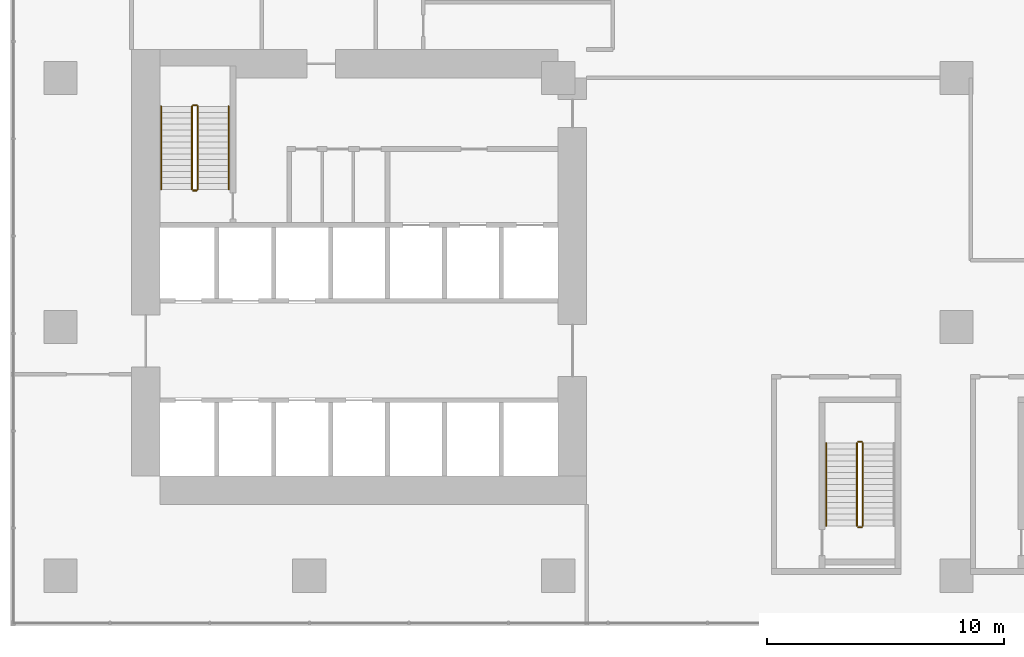
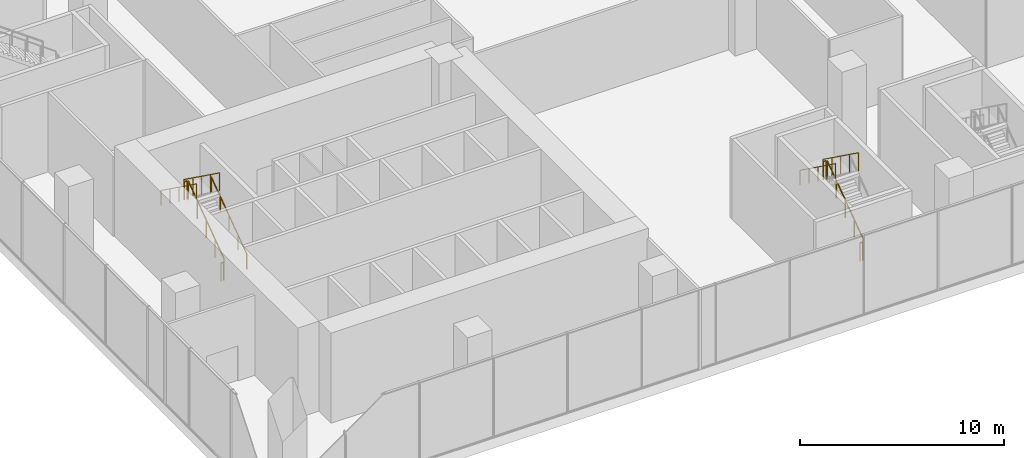
# One storey, part 20 of 24: 11 railings.
"""IFC4 building model written with IfcOpenShell, lengths in metres."""

import ifcopenshell
import ifcopenshell.guid

model = None  # the IFC model being written
_history = None  # IfcOwnerHistory: only IFC2X3 demands one
_inside = {}  # id of a spatial element -> (the spatial element, [elements in it])
_under = {}  # id of a project, library or spatial element -> (it, [spatial elements below it])
_declared = {}  # id of a project -> (the project, [libraries it declares])
_typed = {}  # id of a type object -> (the type object, [elements of that type])
_made_of = {}  # id of a material, layer set ... -> (it, [elements and type objects made of it])


def new_model(schema):
    """Start an empty IFC model of exactly this schema.

    Asked for "IFC4X3", IfcOpenShell would pick the latest addendum, in which some entities
    have other attributes; the version numbers below select the first issue.
    IFC2X3 requires an IfcOwnerHistory on every rooted entity: one is made here for all.
    """
    global model, _history
    if schema == "IFC4X3":
        model = ifcopenshell.file(schema_version=(4, 3, 0, 0))
    else:
        model = ifcopenshell.file(schema=schema)
    _inside.clear()
    _under.clear()
    _declared.clear()
    _typed.clear()
    _made_of.clear()
    _history = None
    if model.schema == "IFC2X3":
        org = make("IfcOrganization", Name="unknown")
        user = make(
            "IfcPersonAndOrganization",
            ThePerson=make("IfcPerson", FamilyName="unknown"),
            TheOrganization=org,
        )
        app = make(
            "IfcApplication",
            ApplicationDeveloper=org,
            Version="unknown",
            ApplicationFullName="unknown",
            ApplicationIdentifier="unknown",
        )
        _history = make(
            "IfcOwnerHistory",
            OwningUser=user,
            OwningApplication=app,
            ChangeAction="ADDED",
            CreationDate=0,
        )
    return model


def make(cls, **values):
    """One entity of the class cls with the attributes given. An attribute that is None is left unset."""
    return model.create_entity(
        cls, **{name: value for name, value in values.items() if value is not None}
    )


def rooted(cls, **values):
    """An entity with a GlobalId (a new one), such as an element, a storey or a relation."""
    return make(cls, GlobalId=ifcopenshell.guid.new(), OwnerHistory=_history, **values)


def si_unit(unit_type, name, prefix=None):
    """IfcSIUnit, for example si_unit("LENGTHUNIT", "METRE", prefix="MILLI")."""
    return make("IfcSIUnit", UnitType=unit_type, Prefix=prefix, Name=name)


def assignment(units):
    """IfcUnitAssignment: the units of a project."""
    return None if units is None else make("IfcUnitAssignment", Units=units)


def point(xyz):
    """IfcCartesianPoint."""
    return None if xyz is None else make("IfcCartesianPoint", Coordinates=xyz)


def direction(xyz):
    """IfcDirection."""
    return None if xyz is None else make("IfcDirection", DirectionRatios=xyz)


def frame(location, z_axis=None, x_axis=None):
    """IfcAxis2Placement3D, a coordinate frame: its origin and axes. An axis left out is left unset."""
    return make(
        "IfcAxis2Placement3D",
        Location=point(location),
        Axis=direction(z_axis),
        RefDirection=direction(x_axis),
    )


def frame_2d(location, x_axis=None):
    """IfcAxis2Placement2D, a coordinate frame in the plane: its origin and x axis."""
    return make(
        "IfcAxis2Placement2D", Location=point(location), RefDirection=direction(x_axis)
    )


def origin():
    """The frame at (0, 0, 0) with its axes left unset."""
    return frame((0.0, 0.0, 0.0))


def origin_2d():
    """The frame at (0, 0) in the plane with its x axis left unset."""
    return frame_2d((0.0, 0.0))


def place(relative_to, where):
    """IfcLocalPlacement: puts the frame where relative to a parent placement (None: the world)."""
    return make(
        "IfcLocalPlacement", PlacementRelTo=relative_to, RelativePlacement=where
    )


def context(
    kind, dimensions, precision=None, world=None, true_north=None, identifier=None
):
    """IfcGeometricRepresentationContext, for example the 3D "Model" context."""
    return make(
        "IfcGeometricRepresentationContext",
        ContextIdentifier=identifier,
        ContextType=kind,
        CoordinateSpaceDimension=dimensions,
        Precision=precision,
        WorldCoordinateSystem=world,
        TrueNorth=true_north,
    )


def subcontext(parent, identifier, kind, view, scale=None):
    """IfcGeometricRepresentationSubContext, for example "Body" below "Model"."""
    return make(
        "IfcGeometricRepresentationSubContext",
        ContextIdentifier=identifier,
        ContextType=kind,
        ParentContext=parent,
        TargetScale=scale,
        TargetView=view,
    )


def project(units=None, contexts=None):
    """IfcProject with its units and contexts."""
    return rooted(
        "IfcProject",
        Name="project",
        RepresentationContexts=contexts,
        UnitsInContext=assignment(units),
    )


def spatial(cls, under=None, at=None, **own):
    """A site, building, storey or space (cls), placed at a placement, below another one or the project."""
    s = rooted(cls, ObjectPlacement=at, **own)
    if under is not None:
        _under.setdefault(under.id(), (under, []))[1].append(s)
    return s


def profile(cls, at=None, kind="AREA", **sizes):
    """A parametric profile (cls). Its sizes go by their IFC names, for example OverallWidth=200.0."""
    return make(cls, ProfileType=kind, Position=at, **sizes)


def circle(**sizes):
    """IfcCircleProfileDef."""
    return profile("IfcCircleProfileDef", **sizes)


def extrude(swept, where, along, depth):
    """IfcExtrudedAreaSolid: the profile swept, set in the frame where, extruded along a direction by depth."""
    return make(
        "IfcExtrudedAreaSolid",
        SweptArea=swept,
        Position=where,
        ExtrudedDirection=direction(along),
        Depth=depth,
    )


def shape(context_of_items, identifier, shape_type, items):
    """IfcShapeRepresentation: the items that make up one representation, for example the "Body"."""
    return make(
        "IfcShapeRepresentation",
        ContextOfItems=context_of_items,
        RepresentationIdentifier=identifier,
        RepresentationType=shape_type,
        Items=items,
    )


def source(mapping_origin, context_of_items, identifier, shape_type, items):
    """IfcRepresentationMap: a shape defined once, which mapped items show again and again."""
    return make(
        "IfcRepresentationMap",
        MappingOrigin=mapping_origin,
        MappedRepresentation=shape(context_of_items, identifier, shape_type, items),
    )


def transform(
    local_origin,
    x_axis=None,
    y_axis=None,
    z_axis=None,
    scale=None,
    scale2=None,
    scale3=None,
    uniform=True,
):
    """IfcCartesianTransformationOperator3D, or its non-uniform kind. x_axis, y_axis, z_axis: its Axis1, 2, 3."""
    if uniform:
        return make(
            "IfcCartesianTransformationOperator3D",
            Axis1=direction(x_axis),
            Axis2=direction(y_axis),
            LocalOrigin=point(local_origin),
            Scale=scale,
            Axis3=direction(z_axis),
        )
    return make(
        "IfcCartesianTransformationOperator3DnonUniform",
        Axis1=direction(x_axis),
        Axis2=direction(y_axis),
        LocalOrigin=point(local_origin),
        Scale=scale,
        Axis3=direction(z_axis),
        Scale2=scale2,
        Scale3=scale3,
    )


def mapped(mapping_source, mapping_target):
    """IfcMappedItem: shows the shape of a source again, moved by a transform."""
    return make(
        "IfcMappedItem", MappingSource=mapping_source, MappingTarget=mapping_target
    )


def material(Name=None, Category=None):
    """IfcMaterial."""
    return make("IfcMaterial", Name=Name, Category=Category)


def made_of(thing, what):
    """Note that an element or type object is made of a material, layer set ...; save() writes the relation."""
    if what is not None:
        _made_of.setdefault(what.id(), (what, []))[1].append(thing)
    return thing


def type_object(cls, material=None, **own):
    """A type object (cls), such as IfcWallType, which elements share."""
    return made_of(rooted(cls, **own), material)


def element(
    cls,
    number,
    at=None,
    inside=None,
    cuts=None,
    type_object=None,
    material=None,
    context=None,
    identifier="Body",
    shape_type=None,
    held_by="IfcProductDefinitionShape",
    body=None,
    shapes=None,
    **own,
):
    """One element of the class cls, such as IfcWall. Its Tag is "e" and its number.

    at: its placement. inside: the storey or other place that contains it. cuts: it is an
    opening in that element (IfcRelVoidsElement). A single representation is given by context,
    identifier, shape_type and body (its items); several are given by shapes. held_by: the class
    of the entity that holds the representations. save() writes the other relations.
    """
    e = rooted(cls, Tag="e%d" % number, ObjectPlacement=at, **own)
    if body is not None:
        shapes = [shape(context, identifier, shape_type, body)]
    if shapes is not None:
        e.Representation = make(held_by, Representations=shapes)
    if inside is not None:
        _inside.setdefault(inside.id(), (inside, []))[1].append(e)
    if cuts is not None:
        rooted(
            "IfcRelVoidsElement", RelatingBuildingElement=cuts, RelatedOpeningElement=e
        )
    if type_object is not None:
        _typed.setdefault(type_object.id(), (type_object, []))[1].append(e)
    return made_of(e, material)


def aggregate(whole, parts):
    """IfcRelAggregates: a whole, such as a stair, and the parts it consists of."""
    return rooted("IfcRelAggregates", RelatingObject=whole, RelatedObjects=parts)


def save(model, path):
    """Write the relations noted so far, then the file.

    IfcRelAggregates (storeys below a building ...), IfcRelContainedInSpatialStructure (elements
    in a storey), IfcRelDefinesByType, IfcRelAssociatesMaterial and IfcRelDeclares: one each for
    every whole, place, type object, material and project.
    """
    for whole, parts in _under.values():
        aggregate(whole, parts)
    for where, things in _inside.values():
        rooted(
            "IfcRelContainedInSpatialStructure",
            RelatedElements=things,
            RelatingStructure=where,
        )
    for kind, things in _typed.values():
        rooted("IfcRelDefinesByType", RelatedObjects=things, RelatingType=kind)
    for what, things in _made_of.values():
        rooted("IfcRelAssociatesMaterial", RelatedObjects=things, RelatingMaterial=what)
    for by, libraries in _declared.values():
        rooted("IfcRelDeclares", RelatingContext=by, RelatedDefinitions=libraries)
    model.write(path)


model = new_model("IFC4")

# Units and contexts
model_context = context("Model", 3, precision=1e-05, world=origin(), true_north=direction((0.0, 1.0)))
body_context = subcontext(model_context, "Body", "Model", "MODEL_VIEW")
ifc_project = project(units=[si_unit("LENGTHUNIT", "METRE"), si_unit("AREAUNIT", "SQUARE_METRE"), si_unit("VOLUMEUNIT", "CUBIC_METRE"), si_unit("PLANEANGLEUNIT", "RADIAN"), si_unit("MASSUNIT", "GRAM", prefix="KILO")], contexts=[model_context])

# Site, building, storey
site_placement = place(None, origin())
site = spatial("IfcSite", under=ifc_project, at=site_placement, CompositionType="ELEMENT")
building_placement = place(site_placement, origin())
building = spatial("IfcBuilding", under=site, at=building_placement, Name="Aurelian Terraces", CompositionType="ELEMENT")
storey_placement = place(building_placement, frame((0.0, 0.0, 12.9)))
storey = spatial("IfcBuildingStorey", under=building, at=storey_placement, Name="L02", CompositionType="ELEMENT", Elevation=12.9)

# Railings
ifc_material = material(Name="Stainless steel", Category="steel")
railing_type_1 = type_object("IfcRailingType", Name="Stair guard 1100", PredefinedType="GUARDRAIL", material=ifc_material)
shared_shape_1 = source(origin(), body_context, "Body", "SweptSolid", [
    extrude(circle(Radius=0.024, at=origin_2d()), frame((0.0, 0.0, 1.076), z_axis=(-1.0, 0.0, 0.0), x_axis=(0.0, -1.0, 0.0)), (0.0, 0.0, 1.0), 0.15),
    extrude(circle(Radius=0.021, at=origin_2d()), origin(), (0.0, 0.0, 1.0), 1.052),
    extrude(circle(Radius=0.021, at=origin_2d()), frame((-0.15, 0.0, 0.0)), (0.0, 0.0, 1.0), 1.052),
])
for number, where, name in (
    (1, (5.75, 19.85, 2.7), "L02 S1 stair guard 2"),
    (2, (5.75, 16.25, 0.0), "L02 S1 stair guard 4"),
    (3, (33.8, 5.65, 2.7), "L02 S7 stair guard 2"),
    (4, (33.8, 2.05, 0.0), "L02 S7 stair guard 4"),
):
    element("IfcRailing", number, at=place(storey_placement, frame(where)), inside=storey, type_object=railing_type_1, Name=name, PredefinedType="GUARDRAIL", context=body_context, shape_type="MappedRepresentation", body=[
        mapped(shared_shape_1, transform((0.0, 0.0, 0.0), scale=1.0)),
    ])
shared_shape_2 = source(origin(), body_context, "Body", "SweptSolid", [
    extrude(circle(Radius=0.024, at=origin_2d()), frame((0.0, 0.0, 1.076), z_axis=(0.0, 0.811534341451, 0.584304725845), x_axis=(-1.0, 0.0, 0.0)), (0.0, 0.0, 1.0), 4.3128),
    extrude(circle(Radius=0.021, at=origin_2d()), origin(), (0.0, 0.0, 1.0), 1.052),
    extrude(circle(Radius=0.021, at=origin_2d()), frame((0.0, 0.875, 0.63)), (0.0, 0.0, 1.0), 1.052),
    extrude(circle(Radius=0.021, at=origin_2d()), frame((0.0, 1.75, 1.26)), (0.0, 0.0, 1.0), 1.052),
    extrude(circle(Radius=0.021, at=origin_2d()), frame((0.0, 2.625, 1.89)), (0.0, 0.0, 1.0), 1.052),
    extrude(circle(Radius=0.021, at=origin_2d()), frame((0.0, 3.5, 2.52)), (0.0, 0.0, 1.0), 1.052),
])
for number, where, name in (
    (5, (5.8, 16.3, 0.18), "L02 S1 stair guard 1"),
    (6, (33.85, 2.1, 0.18), "L02 S7 stair guard 1"),
):
    element("IfcRailing", number, at=place(storey_placement, frame(where)), inside=storey, type_object=railing_type_1, Name=name, PredefinedType="GUARDRAIL", context=body_context, shape_type="MappedRepresentation", body=[
        mapped(shared_shape_2, transform((0.0, 0.0, 0.0), scale=1.0)),
    ])
shared_shape_3 = source(origin(), body_context, "Body", "SweptSolid", [
    extrude(circle(Radius=0.024, at=origin_2d()), frame((0.0, 0.0, 1.076), z_axis=(0.0, -0.811534341451, 0.584304725845), x_axis=(1.0, 0.0, 0.0)), (0.0, 0.0, 1.0), 4.3128),
    extrude(circle(Radius=0.021, at=origin_2d()), origin(), (0.0, 0.0, 1.0), 1.052),
    extrude(circle(Radius=0.021, at=origin_2d()), frame((0.0, -0.875, 0.63)), (0.0, 0.0, 1.0), 1.052),
    extrude(circle(Radius=0.021, at=origin_2d()), frame((0.0, -1.75, 1.26)), (0.0, 0.0, 1.0), 1.052),
    extrude(circle(Radius=0.021, at=origin_2d()), frame((0.0, -2.625, 1.89)), (0.0, 0.0, 1.0), 1.052),
    extrude(circle(Radius=0.021, at=origin_2d()), frame((0.0, -3.5, 2.52)), (0.0, 0.0, 1.0), 1.052),
])
for number, where, name in (
    (7, (5.55, 19.8, 2.88), "L02 S1 stair guard 3"),
    (8, (33.6, 5.6, 2.88), "L02 S7 stair guard 3"),
):
    element("IfcRailing", number, at=place(storey_placement, frame(where)), inside=storey, type_object=railing_type_1, Name=name, PredefinedType="GUARDRAIL", context=body_context, shape_type="MappedRepresentation", body=[
        mapped(shared_shape_3, transform((0.0, 0.0, 0.0), scale=1.0)),
    ])
railing_type_2 = type_object("IfcRailingType", Name="Stair handrail", PredefinedType="HANDRAIL", material=ifc_material)
shared_shape_4 = source(origin(), body_context, "Body", "SweptSolid", [
    extrude(circle(Radius=0.024, at=origin_2d()), frame((0.0, 0.0, 0.876), z_axis=(0.0, 0.811534341451, 0.584304725845), x_axis=(-1.0, 0.0, 0.0)), (0.0, 0.0, 1.0), 4.3128),
    extrude(circle(Radius=0.021, at=origin_2d()), origin(), (0.0, 0.0, 1.0), 0.852),
    extrude(circle(Radius=0.021, at=origin_2d()), frame((0.0, 0.875, 0.63)), (0.0, 0.0, 1.0), 0.852),
    extrude(circle(Radius=0.021, at=origin_2d()), frame((0.0, 1.75, 1.26)), (0.0, 0.0, 1.0), 0.852),
    extrude(circle(Radius=0.021, at=origin_2d()), frame((0.0, 2.625, 1.89)), (0.0, 0.0, 1.0), 0.852),
    extrude(circle(Radius=0.021, at=origin_2d()), frame((0.0, 3.5, 2.52)), (0.0, 0.0, 1.0), 0.852),
])
railing_placement = place(storey_placement, frame((7.1, 16.3, 0.18)))
element("IfcRailing", 9, at=railing_placement, inside=storey, type_object=railing_type_2, Name="L02 S1 stair handrail 1", PredefinedType="HANDRAIL", context=body_context, shape_type="MappedRepresentation", body=[
    mapped(shared_shape_4, transform((0.0, 0.0, 0.0), scale=1.0)),
])
shared_shape_5 = source(origin(), body_context, "Body", "SweptSolid", [
    extrude(circle(Radius=0.024, at=origin_2d()), frame((0.0, 0.0, 0.876), z_axis=(0.0, -0.811534341451, 0.584304725845), x_axis=(1.0, 0.0, 0.0)), (0.0, 0.0, 1.0), 4.3128),
    extrude(circle(Radius=0.021, at=origin_2d()), origin(), (0.0, 0.0, 1.0), 0.852),
    extrude(circle(Radius=0.021, at=origin_2d()), frame((0.0, -0.875, 0.63)), (0.0, 0.0, 1.0), 0.852),
    extrude(circle(Radius=0.021, at=origin_2d()), frame((0.0, -1.75, 1.26)), (0.0, 0.0, 1.0), 0.852),
    extrude(circle(Radius=0.021, at=origin_2d()), frame((0.0, -2.625, 1.89)), (0.0, 0.0, 1.0), 0.852),
    extrude(circle(Radius=0.021, at=origin_2d()), frame((0.0, -3.5, 2.52)), (0.0, 0.0, 1.0), 0.852),
])
for number, where, name in (
    (10, (4.25, 19.8, 2.88), "L02 S1 stair handrail 2"),
    (11, (32.3, 5.6, 2.88), "L02 S7 stair handrail 2"),
):
    element("IfcRailing", number, at=place(storey_placement, frame(where)), inside=storey, type_object=railing_type_2, Name=name, PredefinedType="HANDRAIL", context=body_context, shape_type="MappedRepresentation", body=[
        mapped(shared_shape_5, transform((0.0, 0.0, 0.0), scale=1.0)),
    ])

save(model, "model.ifc")
